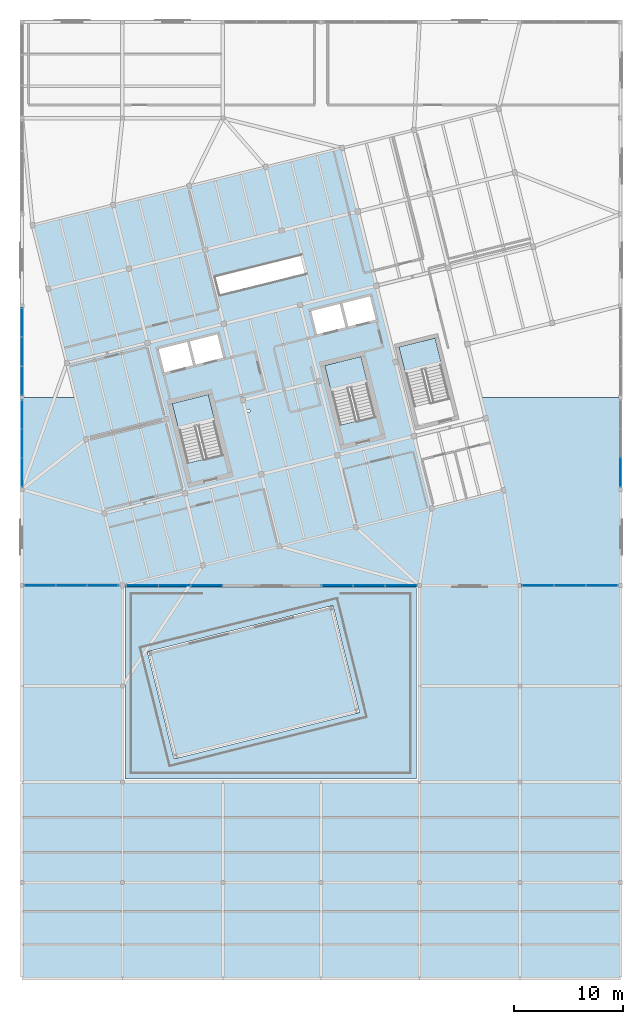
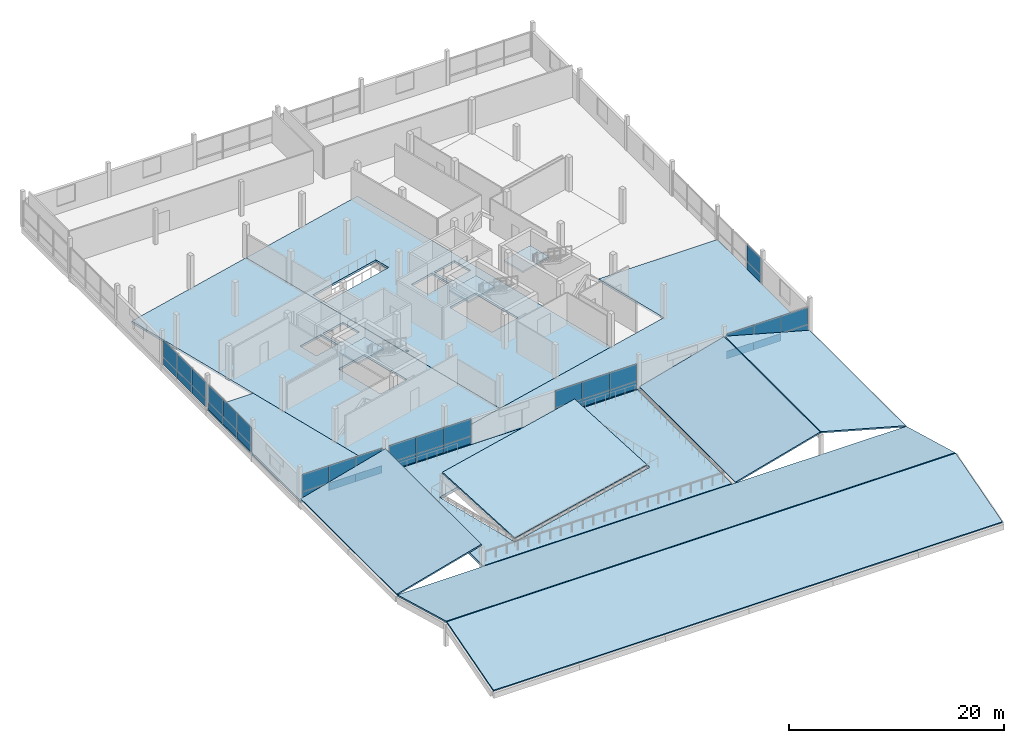
# One storey, part 32 of 39: 38 plates, 13 slabs, 16 elements without a shape of their own.
"""IFC4 building model written with IfcOpenShell, lengths in metres."""

from ifc_helpers import new_model, si_unit, direction, frame, origin, origin_2d, place, context, subcontext, project, spatial, polyline, rectangle, outline, extrude, material, layer, layer_set, type_object, element, aggregate, save


model = new_model("IFC4")

# Units and contexts
model_context = context("Model", 3, precision=1e-05, world=origin(), true_north=direction((0.0, 1.0)))
body_context = subcontext(model_context, "Body", "Model", "MODEL_VIEW")
ifc_project = project(units=[si_unit("LENGTHUNIT", "METRE"), si_unit("AREAUNIT", "SQUARE_METRE"), si_unit("VOLUMEUNIT", "CUBIC_METRE"), si_unit("PLANEANGLEUNIT", "RADIAN"), si_unit("MASSUNIT", "GRAM", prefix="KILO")], contexts=[model_context])

# Site, building, storey
site_placement = place(None, origin())
site = spatial("IfcSite", under=ifc_project, at=site_placement, CompositionType="ELEMENT")
building_placement = place(site_placement, origin())
building = spatial("IfcBuilding", under=site, at=building_placement, Name="Meriwether Solvik Hall", CompositionType="ELEMENT")
storey_placement = place(building_placement, frame((0.0, 0.0, 22.199951171875)))
storey = spatial("IfcBuildingStorey", under=building, at=storey_placement, Name="L05", CompositionType="ELEMENT", Elevation=22.199951171875)

# Curtain wall, plates
ifc_material_1 = material(Name="Thermally Broken Anodised Aluminium 6063-T6 and Low-E Glass", Category="aluminium")
ifc_layer_1 = layer(ifc_material_1, 0.179931640625)
ifc_layer_set_1 = layer_set([ifc_layer_1], Name="Thermally Broken Anodised Aluminium 6063-T6 and Low-E Glass")
curtain_wall_type = type_object("IfcCurtainWallType", Name="CW-UNIT-E", PredefinedType="USERDEFINED", material=ifc_layer_set_1)
curtain_wall_1_placement = place(storey_placement, origin())
curtain_wall_1 = element("IfcCurtainWall", 1, at=curtain_wall_1_placement, inside=storey, type_object=curtain_wall_type, Name="Curtain Wall wing_XE_7_0 (L05)", ObjectType="UNITISED CURTAIN WALL", PredefinedType="USERDEFINED")
ifc_material_2 = material(Name="Low-Emissivity Double-Glazed Laminated Glass", Category="glass")
ifc_layer_2 = layer(ifc_material_2, 0.031982421875)
ifc_layer_set_2 = layer_set([ifc_layer_2], Name="Low-Emissivity Double-Glazed Laminated Glass")
plate_type_1 = type_object("IfcPlateType", Name="PLT-GLZ-225X195", PredefinedType="CURTAIN_PANEL", material=ifc_layer_set_2)
plate_1_placement = place(storey_placement, frame((66.796630859375, 41.199951171875, 0.864013671875), z_axis=(0.0, 0.0, 1.0), x_axis=(-1.0, 0.0, 0.0)))
plate_1 = element("IfcPlate", 2, at=plate_1_placement, type_object=plate_type_1, Name="Low-E Vision Glazing Panel 1", PredefinedType="CURTAIN_PANEL", context=body_context, shape_type="SweptSolid", body=[
    extrude(rectangle(XDim=2.842529296875, YDim=0.033935546875, at=origin_2d()), origin(), (0.0, 0.0, 1.0), 1.9560546875),
])
plate_2_placement = place(storey_placement, frame((63.92724609375, 41.199951171875, 0.864013671875), z_axis=(0.0, 0.0, 1.0), x_axis=(-1.0, 0.0, 0.0)))
plate_2 = element("IfcPlate", 3, at=plate_2_placement, type_object=plate_type_1, Name="Low-E Vision Glazing Panel 2", PredefinedType="CURTAIN_PANEL", context=body_context, shape_type="SweptSolid", body=[
    extrude(rectangle(XDim=2.880615234375, YDim=0.033935546875, at=origin_2d()), origin(), (0.0, 0.0, 1.0), 1.9560546875),
])
plate_3_placement = place(storey_placement, frame((61.057861328125, 41.199951171875, 0.864013671875), z_axis=(0.0, 0.0, 1.0), x_axis=(-1.0, 0.0, 0.0)))
plate_3 = element("IfcPlate", 4, at=plate_3_placement, type_object=plate_type_1, Name="Low-E Vision Glazing Panel 3", PredefinedType="CURTAIN_PANEL", context=body_context, shape_type="SweptSolid", body=[
    extrude(rectangle(XDim=2.842529296875, YDim=0.033935546875, at=origin_2d()), origin(), (0.0, 0.0, 1.0), 1.9560546875),
])

curtain_wall_2_placement = place(storey_placement, origin())
curtain_wall_2 = element("IfcCurtainWall", 5, at=curtain_wall_2_placement, inside=storey, type_object=curtain_wall_type, Name="Curtain Wall wing_XE_8_1 (L05)", ObjectType="UNITISED CURTAIN WALL", PredefinedType="USERDEFINED")
plate_4_placement = place(storey_placement, frame((76.304443359375, 41.199951171875, 0.864013671875), z_axis=(0.0, 0.0, 1.0), x_axis=(-1.0, 0.0, 0.0)))
plate_4 = element("IfcPlate", 6, at=plate_4_placement, type_object=plate_type_1, Name="Low-E Vision Glazing Panel 1", PredefinedType="CURTAIN_PANEL", context=body_context, shape_type="SweptSolid", body=[
    extrude(rectangle(XDim=2.9072265625, YDim=0.033935546875, at=origin_2d()), origin(), (0.0, 0.0, 1.0), 1.9560546875),
])
plate_5_placement = place(storey_placement, frame((73.3701171875, 41.199951171875, 0.864013671875), z_axis=(0.0, 0.0, 1.0), x_axis=(-1.0, 0.0, 0.0)))
plate_5 = element("IfcPlate", 7, at=plate_5_placement, type_object=plate_type_1, Name="Low-E Vision Glazing Panel 2", PredefinedType="CURTAIN_PANEL", context=body_context, shape_type="SweptSolid", body=[
    extrude(rectangle(XDim=2.9453125, YDim=0.033935546875, at=origin_2d()), origin(), (0.0, 0.0, 1.0), 1.9560546875),
])
plate_6_placement = place(storey_placement, frame((70.435791015625, 41.199951171875, 0.864013671875), z_axis=(0.0, 0.0, 1.0), x_axis=(-1.0, 0.0, 0.0)))
plate_6 = element("IfcPlate", 8, at=plate_6_placement, type_object=plate_type_1, Name="Low-E Vision Glazing Panel 3", PredefinedType="CURTAIN_PANEL", context=body_context, shape_type="SweptSolid", body=[
    extrude(rectangle(XDim=2.9072265625, YDim=0.033935546875, at=origin_2d()), origin(), (0.0, 0.0, 1.0), 1.9560546875),
])

curtain_wall_3_placement = place(storey_placement, origin())
curtain_wall_3 = element("IfcCurtainWall", 9, at=curtain_wall_3_placement, inside=storey, type_object=curtain_wall_type, Name="Curtain Wall wing_XE_10_3 (L05)", ObjectType="UNITISED CURTAIN WALL", PredefinedType="USERDEFINED")
plate_7_placement = place(storey_placement, frame((94.118896484375, 41.199951171875, 0.864013671875), z_axis=(0.0, 0.0, 1.0), x_axis=(-1.0, 0.0, 0.0)))
plate_7 = element("IfcPlate", 10, at=plate_7_placement, type_object=plate_type_1, Name="Low-E Vision Glazing Panel 1", PredefinedType="CURTAIN_PANEL", context=body_context, shape_type="SweptSolid", body=[
    extrude(rectangle(XDim=2.88916015625, YDim=0.033935546875, at=origin_2d()), origin(), (0.0, 0.0, 1.0), 1.9560546875),
])
plate_8_placement = place(storey_placement, frame((91.20263671875, 41.199951171875, 0.864013671875), z_axis=(0.0, 0.0, 1.0), x_axis=(-1.0, 0.0, 0.0)))
plate_8 = element("IfcPlate", 11, at=plate_8_placement, type_object=plate_type_1, Name="Low-E Vision Glazing Panel 2", PredefinedType="CURTAIN_PANEL", context=body_context, shape_type="SweptSolid", body=[
    extrude(rectangle(XDim=2.92724609375, YDim=0.033935546875, at=origin_2d()), origin(), (0.0, 0.0, 1.0), 1.9560546875),
])
plate_9_placement = place(storey_placement, frame((88.28662109375, 41.199951171875, 0.864013671875), z_axis=(0.0, 0.0, 1.0), x_axis=(-1.0, 0.0, 0.0)))
plate_9 = element("IfcPlate", 12, at=plate_9_placement, type_object=plate_type_1, Name="Low-E Vision Glazing Panel 3", PredefinedType="CURTAIN_PANEL", context=body_context, shape_type="SweptSolid", body=[
    extrude(rectangle(XDim=2.88916015625, YDim=0.033935546875, at=origin_2d()), origin(), (0.0, 0.0, 1.0), 1.9560546875),
])

curtain_wall_4_placement = place(storey_placement, origin())
curtain_wall_4 = element("IfcCurtainWall", 13, at=curtain_wall_4_placement, inside=storey, type_object=curtain_wall_type, Name="Curtain Wall wing_XE_12_5 (L05)", ObjectType="UNITISED CURTAIN WALL", PredefinedType="USERDEFINED")
plate_10_placement = place(storey_placement, frame((112.51806640625, 41.199951171875, 0.864013671875), z_axis=(0.0, 0.0, 1.0), x_axis=(-1.0, 0.0, 0.0)))
plate_10 = element("IfcPlate", 14, at=plate_10_placement, type_object=plate_type_1, Name="Low-E Vision Glazing Panel 1", PredefinedType="CURTAIN_PANEL", context=body_context, shape_type="SweptSolid", body=[
    extrude(rectangle(XDim=2.89111328125, YDim=0.033935546875, at=origin_2d()), origin(), (0.0, 0.0, 1.0), 1.9560546875),
])
plate_11_placement = place(storey_placement, frame((109.60009765625, 41.199951171875, 0.864013671875), z_axis=(0.0, 0.0, 1.0), x_axis=(-1.0, 0.0, 0.0)))
plate_11 = element("IfcPlate", 15, at=plate_11_placement, type_object=plate_type_1, Name="Low-E Vision Glazing Panel 2", PredefinedType="CURTAIN_PANEL", context=body_context, shape_type="SweptSolid", body=[
    extrude(rectangle(XDim=2.928955078125, YDim=0.033935546875, at=origin_2d()), origin(), (0.0, 0.0, 1.0), 1.9560546875),
])
plate_12_placement = place(storey_placement, frame((106.681884765625, 41.199951171875, 0.864013671875), z_axis=(0.0, 0.0, 1.0), x_axis=(-1.0, 0.0, 0.0)))
plate_12 = element("IfcPlate", 16, at=plate_12_placement, type_object=plate_type_1, Name="Low-E Vision Glazing Panel 3", PredefinedType="CURTAIN_PANEL", context=body_context, shape_type="SweptSolid", body=[
    extrude(rectangle(XDim=2.89111328125, YDim=0.033935546875, at=origin_2d()), origin(), (0.0, 0.0, 1.0), 1.9560546875),
])

curtain_wall_5_placement = place(storey_placement, origin())
curtain_wall_5 = element("IfcCurtainWall", 17, at=curtain_wall_5_placement, inside=storey, type_object=curtain_wall_type, Name="Curtain Wall wing_Y7_6_13 (L05)", ObjectType="UNITISED CURTAIN WALL", PredefinedType="USERDEFINED")
plate_13_placement = place(storey_placement, frame((59.39990234375, 51.548583984375, 0.864013671875), z_axis=(0.0, 0.0, 1.0), x_axis=(0.0, 1.0, 0.0)))
plate_13 = element("IfcPlate", 18, at=plate_13_placement, type_object=plate_type_1, Name="Low-E Vision Glazing Panel 1", PredefinedType="CURTAIN_PANEL", context=body_context, shape_type="SweptSolid", body=[
    extrude(rectangle(XDim=2.624267578125, YDim=0.033935546875, at=origin_2d()), origin(), (0.0, 0.0, 1.0), 1.9560546875),
])
plate_14_placement = place(storey_placement, frame((59.39990234375, 54.199951171875, 0.864013671875), z_axis=(0.0, 0.0, 1.0), x_axis=(0.0, 1.0, 0.0)))
plate_14 = element("IfcPlate", 19, at=plate_14_placement, type_object=plate_type_1, Name="Low-E Vision Glazing Panel 2", PredefinedType="CURTAIN_PANEL", context=body_context, shape_type="SweptSolid", body=[
    extrude(rectangle(XDim=2.662353515625, YDim=0.033935546875, at=origin_2d()), origin(), (0.0, 0.0, 1.0), 1.9560546875),
])
plate_15_placement = place(storey_placement, frame((59.39990234375, 56.851318359375, 0.864013671875), z_axis=(0.0, 0.0, 1.0), x_axis=(0.0, 1.0, 0.0)))
plate_15 = element("IfcPlate", 20, at=plate_15_placement, type_object=plate_type_1, Name="Low-E Vision Glazing Panel 3", PredefinedType="CURTAIN_PANEL", context=body_context, shape_type="SweptSolid", body=[
    extrude(rectangle(XDim=2.624267578125, YDim=0.033935546875, at=origin_2d()), origin(), (0.0, 0.0, 1.0), 1.9560546875),
])

curtain_wall_6_placement = place(storey_placement, origin())
curtain_wall_6 = element("IfcCurtainWall", 21, at=curtain_wall_6_placement, inside=storey, type_object=curtain_wall_type, Name="Curtain Wall wing_Y7_7_14 (L05)", ObjectType="UNITISED CURTAIN WALL", PredefinedType="USERDEFINED")
plate_16_placement = place(storey_placement, frame((59.39990234375, 59.94873046875, 0.864013671875), z_axis=(0.0, 0.0, 1.0), x_axis=(0.0, 1.0, 0.0)))
plate_16 = element("IfcPlate", 22, at=plate_16_placement, type_object=plate_type_1, Name="Low-E Vision Glazing Panel 1", PredefinedType="CURTAIN_PANEL", context=body_context, shape_type="SweptSolid", body=[
    extrude(rectangle(XDim=2.624267578125, YDim=0.033935546875, at=origin_2d()), origin(), (0.0, 0.0, 1.0), 1.9560546875),
])
plate_17_placement = place(storey_placement, frame((59.39990234375, 62.60009765625, 0.864013671875), z_axis=(0.0, 0.0, 1.0), x_axis=(0.0, 1.0, 0.0)))
plate_17 = element("IfcPlate", 23, at=plate_17_placement, type_object=plate_type_1, Name="Low-E Vision Glazing Panel 2", PredefinedType="CURTAIN_PANEL", context=body_context, shape_type="SweptSolid", body=[
    extrude(rectangle(XDim=2.662353515625, YDim=0.033935546875, at=origin_2d()), origin(), (0.0, 0.0, 1.0), 1.9560546875),
])
plate_18_placement = place(storey_placement, frame((59.39990234375, 65.251220703125, 0.864013671875), z_axis=(0.0, 0.0, 1.0), x_axis=(0.0, 1.0, 0.0)))
plate_18 = element("IfcPlate", 24, at=plate_18_placement, type_object=plate_type_1, Name="Low-E Vision Glazing Panel 3", PredefinedType="CURTAIN_PANEL", context=body_context, shape_type="SweptSolid", body=[
    extrude(rectangle(XDim=2.624267578125, YDim=0.033935546875, at=origin_2d()), origin(), (0.0, 0.0, 1.0), 1.9560546875),
])

# Curtain wall, plate
curtain_wall_7_placement = place(storey_placement, origin())
curtain_wall_7 = element("IfcCurtainWall", 25, at=curtain_wall_7_placement, inside=storey, type_object=curtain_wall_type, Name="Curtain Wall wing_Y13_6_19 (L05)", ObjectType="UNITISED CURTAIN WALL", PredefinedType="USERDEFINED")
plate_19_placement = place(storey_placement, frame((114.199951171875, 51.548583984375, 0.864013671875), z_axis=(0.0, 0.0, 1.0), x_axis=(0.0, -1.0, 0.0)))
plate_19 = element("IfcPlate", 26, at=plate_19_placement, type_object=plate_type_1, Name="Low-E Vision Glazing Panel 3", PredefinedType="CURTAIN_PANEL", context=body_context, shape_type="SweptSolid", body=[
    extrude(rectangle(XDim=2.624267578125, YDim=0.033935546875, at=origin_2d()), origin(), (0.0, 0.0, 1.0), 1.9560546875),
])

# Plate
ifc_material_3 = material(Name="Mineral-Wool Insulated Anodised Aluminium 6063-T6", Category="aluminium")
ifc_layer_3 = layer(ifc_material_3, 0.044921875)
ifc_layer_set_3 = layer_set([ifc_layer_3], Name="Mineral-Wool Insulated Anodised Aluminium 6063-T6")
plate_type_2 = type_object("IfcPlateType", Name="PLT-SPN-225X085", PredefinedType="CURTAIN_PANEL", material=ifc_layer_set_3)
plate_20_placement = place(storey_placement, frame((66.796630859375, 41.199951171875, 0.0), z_axis=(0.0, 0.0, 1.0), x_axis=(-1.0, 0.0, 0.0)))
plate_20 = element("IfcPlate", 27, at=plate_20_placement, type_object=plate_type_2, Name="Insulated Spandrel Panel 1", PredefinedType="CURTAIN_PANEL", context=body_context, shape_type="SweptSolid", body=[
    extrude(rectangle(XDim=2.842529296875, YDim=0.044921875, at=origin_2d()), origin(), (0.0, 0.0, 1.0), 0.864013671875),
])

plate_21_placement = place(storey_placement, frame((63.92724609375, 41.199951171875, 0.0), z_axis=(0.0, 0.0, 1.0), x_axis=(-1.0, 0.0, 0.0)))
plate_21 = element("IfcPlate", 28, at=plate_21_placement, type_object=plate_type_2, Name="Insulated Spandrel Panel 2", PredefinedType="CURTAIN_PANEL", context=body_context, shape_type="SweptSolid", body=[
    extrude(rectangle(XDim=2.880615234375, YDim=0.044921875, at=origin_2d()), origin(), (0.0, 0.0, 1.0), 0.864013671875),
])

plate_22_placement = place(storey_placement, frame((61.057861328125, 41.199951171875, 0.0), z_axis=(0.0, 0.0, 1.0), x_axis=(-1.0, 0.0, 0.0)))
plate_22 = element("IfcPlate", 29, at=plate_22_placement, type_object=plate_type_2, Name="Insulated Spandrel Panel 3", PredefinedType="CURTAIN_PANEL", context=body_context, shape_type="SweptSolid", body=[
    extrude(rectangle(XDim=2.842529296875, YDim=0.044921875, at=origin_2d()), origin(), (0.0, 0.0, 1.0), 0.864013671875),
])

aggregate(curtain_wall_1, [plate_20, plate_1, plate_21, plate_2, plate_22, plate_3])

plate_23_placement = place(storey_placement, frame((76.304443359375, 41.199951171875, 0.0), z_axis=(0.0, 0.0, 1.0), x_axis=(-1.0, 0.0, 0.0)))
plate_23 = element("IfcPlate", 30, at=plate_23_placement, type_object=plate_type_2, Name="Insulated Spandrel Panel 1", PredefinedType="CURTAIN_PANEL", context=body_context, shape_type="SweptSolid", body=[
    extrude(rectangle(XDim=2.9072265625, YDim=0.044921875, at=origin_2d()), origin(), (0.0, 0.0, 1.0), 0.864013671875),
])

plate_24_placement = place(storey_placement, frame((73.3701171875, 41.199951171875, 0.0), z_axis=(0.0, 0.0, 1.0), x_axis=(-1.0, 0.0, 0.0)))
plate_24 = element("IfcPlate", 31, at=plate_24_placement, type_object=plate_type_2, Name="Insulated Spandrel Panel 2", PredefinedType="CURTAIN_PANEL", context=body_context, shape_type="SweptSolid", body=[
    extrude(rectangle(XDim=2.9453125, YDim=0.044921875, at=origin_2d()), origin(), (0.0, 0.0, 1.0), 0.864013671875),
])

plate_25_placement = place(storey_placement, frame((70.435791015625, 41.199951171875, 0.0), z_axis=(0.0, 0.0, 1.0), x_axis=(-1.0, 0.0, 0.0)))
plate_25 = element("IfcPlate", 32, at=plate_25_placement, type_object=plate_type_2, Name="Insulated Spandrel Panel 3", PredefinedType="CURTAIN_PANEL", context=body_context, shape_type="SweptSolid", body=[
    extrude(rectangle(XDim=2.9072265625, YDim=0.044921875, at=origin_2d()), origin(), (0.0, 0.0, 1.0), 0.864013671875),
])

aggregate(curtain_wall_2, [plate_23, plate_4, plate_24, plate_5, plate_25, plate_6])

plate_26_placement = place(storey_placement, frame((94.118896484375, 41.199951171875, 0.0), z_axis=(0.0, 0.0, 1.0), x_axis=(-1.0, 0.0, 0.0)))
plate_26 = element("IfcPlate", 33, at=plate_26_placement, type_object=plate_type_2, Name="Insulated Spandrel Panel 1", PredefinedType="CURTAIN_PANEL", context=body_context, shape_type="SweptSolid", body=[
    extrude(rectangle(XDim=2.88916015625, YDim=0.044921875, at=origin_2d()), origin(), (0.0, 0.0, 1.0), 0.864013671875),
])

plate_27_placement = place(storey_placement, frame((91.20263671875, 41.199951171875, 0.0), z_axis=(0.0, 0.0, 1.0), x_axis=(-1.0, 0.0, 0.0)))
plate_27 = element("IfcPlate", 34, at=plate_27_placement, type_object=plate_type_2, Name="Insulated Spandrel Panel 2", PredefinedType="CURTAIN_PANEL", context=body_context, shape_type="SweptSolid", body=[
    extrude(rectangle(XDim=2.92724609375, YDim=0.044921875, at=origin_2d()), origin(), (0.0, 0.0, 1.0), 0.864013671875),
])

plate_28_placement = place(storey_placement, frame((88.28662109375, 41.199951171875, 0.0), z_axis=(0.0, 0.0, 1.0), x_axis=(-1.0, 0.0, 0.0)))
plate_28 = element("IfcPlate", 35, at=plate_28_placement, type_object=plate_type_2, Name="Insulated Spandrel Panel 3", PredefinedType="CURTAIN_PANEL", context=body_context, shape_type="SweptSolid", body=[
    extrude(rectangle(XDim=2.88916015625, YDim=0.044921875, at=origin_2d()), origin(), (0.0, 0.0, 1.0), 0.864013671875),
])

aggregate(curtain_wall_3, [plate_26, plate_7, plate_27, plate_8, plate_28, plate_9])

plate_29_placement = place(storey_placement, frame((112.51806640625, 41.199951171875, 0.0), z_axis=(0.0, 0.0, 1.0), x_axis=(-1.0, 0.0, 0.0)))
plate_29 = element("IfcPlate", 36, at=plate_29_placement, type_object=plate_type_2, Name="Insulated Spandrel Panel 1", PredefinedType="CURTAIN_PANEL", context=body_context, shape_type="SweptSolid", body=[
    extrude(rectangle(XDim=2.89111328125, YDim=0.044921875, at=origin_2d()), origin(), (0.0, 0.0, 1.0), 0.864013671875),
])

plate_30_placement = place(storey_placement, frame((109.60009765625, 41.199951171875, 0.0), z_axis=(0.0, 0.0, 1.0), x_axis=(-1.0, 0.0, 0.0)))
plate_30 = element("IfcPlate", 37, at=plate_30_placement, type_object=plate_type_2, Name="Insulated Spandrel Panel 2", PredefinedType="CURTAIN_PANEL", context=body_context, shape_type="SweptSolid", body=[
    extrude(rectangle(XDim=2.928955078125, YDim=0.044921875, at=origin_2d()), origin(), (0.0, 0.0, 1.0), 0.864013671875),
])

plate_31_placement = place(storey_placement, frame((106.681884765625, 41.199951171875, 0.0), z_axis=(0.0, 0.0, 1.0), x_axis=(-1.0, 0.0, 0.0)))
plate_31 = element("IfcPlate", 38, at=plate_31_placement, type_object=plate_type_2, Name="Insulated Spandrel Panel 3", PredefinedType="CURTAIN_PANEL", context=body_context, shape_type="SweptSolid", body=[
    extrude(rectangle(XDim=2.89111328125, YDim=0.044921875, at=origin_2d()), origin(), (0.0, 0.0, 1.0), 0.864013671875),
])

aggregate(curtain_wall_4, [plate_29, plate_10, plate_30, plate_11, plate_31, plate_12])

plate_32_placement = place(storey_placement, frame((59.39990234375, 51.548583984375, 0.0), z_axis=(0.0, 0.0, 1.0), x_axis=(0.0, 1.0, 0.0)))
plate_32 = element("IfcPlate", 39, at=plate_32_placement, type_object=plate_type_2, Name="Insulated Spandrel Panel 1", PredefinedType="CURTAIN_PANEL", context=body_context, shape_type="SweptSolid", body=[
    extrude(rectangle(XDim=2.624267578125, YDim=0.044921875, at=origin_2d()), origin(), (0.0, 0.0, 1.0), 0.864013671875),
])

plate_33_placement = place(storey_placement, frame((59.39990234375, 54.199951171875, 0.0), z_axis=(0.0, 0.0, 1.0), x_axis=(0.0, 1.0, 0.0)))
plate_33 = element("IfcPlate", 40, at=plate_33_placement, type_object=plate_type_2, Name="Insulated Spandrel Panel 2", PredefinedType="CURTAIN_PANEL", context=body_context, shape_type="SweptSolid", body=[
    extrude(rectangle(XDim=2.662353515625, YDim=0.044921875, at=origin_2d()), origin(), (0.0, 0.0, 1.0), 0.864013671875),
])

plate_34_placement = place(storey_placement, frame((59.39990234375, 56.851318359375, 0.0), z_axis=(0.0, 0.0, 1.0), x_axis=(0.0, 1.0, 0.0)))
plate_34 = element("IfcPlate", 41, at=plate_34_placement, type_object=plate_type_2, Name="Insulated Spandrel Panel 3", PredefinedType="CURTAIN_PANEL", context=body_context, shape_type="SweptSolid", body=[
    extrude(rectangle(XDim=2.624267578125, YDim=0.044921875, at=origin_2d()), origin(), (0.0, 0.0, 1.0), 0.864013671875),
])

aggregate(curtain_wall_5, [plate_32, plate_13, plate_33, plate_14, plate_34, plate_15])

plate_35_placement = place(storey_placement, frame((59.39990234375, 59.94873046875, 0.0), z_axis=(0.0, 0.0, 1.0), x_axis=(0.0, 1.0, 0.0)))
plate_35 = element("IfcPlate", 42, at=plate_35_placement, type_object=plate_type_2, Name="Insulated Spandrel Panel 1", PredefinedType="CURTAIN_PANEL", context=body_context, shape_type="SweptSolid", body=[
    extrude(rectangle(XDim=2.624267578125, YDim=0.044921875, at=origin_2d()), origin(), (0.0, 0.0, 1.0), 0.864013671875),
])

plate_36_placement = place(storey_placement, frame((59.39990234375, 62.60009765625, 0.0), z_axis=(0.0, 0.0, 1.0), x_axis=(0.0, 1.0, 0.0)))
plate_36 = element("IfcPlate", 43, at=plate_36_placement, type_object=plate_type_2, Name="Insulated Spandrel Panel 2", PredefinedType="CURTAIN_PANEL", context=body_context, shape_type="SweptSolid", body=[
    extrude(rectangle(XDim=2.662353515625, YDim=0.044921875, at=origin_2d()), origin(), (0.0, 0.0, 1.0), 0.864013671875),
])

plate_37_placement = place(storey_placement, frame((59.39990234375, 65.251220703125, 0.0), z_axis=(0.0, 0.0, 1.0), x_axis=(0.0, 1.0, 0.0)))
plate_37 = element("IfcPlate", 44, at=plate_37_placement, type_object=plate_type_2, Name="Insulated Spandrel Panel 3", PredefinedType="CURTAIN_PANEL", context=body_context, shape_type="SweptSolid", body=[
    extrude(rectangle(XDim=2.624267578125, YDim=0.044921875, at=origin_2d()), origin(), (0.0, 0.0, 1.0), 0.864013671875),
])

aggregate(curtain_wall_6, [plate_35, plate_16, plate_36, plate_17, plate_37, plate_18])

plate_38_placement = place(storey_placement, frame((114.199951171875, 51.548583984375, 0.0), z_axis=(0.0, 0.0, 1.0), x_axis=(0.0, -1.0, 0.0)))
plate_38 = element("IfcPlate", 45, at=plate_38_placement, type_object=plate_type_2, Name="Insulated Spandrel Panel 3", PredefinedType="CURTAIN_PANEL", context=body_context, shape_type="SweptSolid", body=[
    extrude(rectangle(XDim=2.624267578125, YDim=0.044921875, at=origin_2d()), origin(), (0.0, 0.0, 1.0), 0.864013671875),
])

aggregate(curtain_wall_7, [plate_38, plate_19])

# Slabs
ifc_material_4 = material(Name="Cross-Laminated Timber PRG 320 E1", Category="wood")
ifc_layer_4 = layer(ifc_material_4, 0.2451171875)
ifc_layer_set_4 = layer_set([ifc_layer_4], Name="Cross-Laminated Timber PRG 320 E1")
slab_type_1 = type_object("IfcSlabType", Name="SLB-CLT-245", PredefinedType="FLOOR", material=ifc_layer_set_4)
slab_1_placement = place(storey_placement, frame((0.0, 0.0, -0.244873046875)))
element("IfcSlab", 46, at=slab_1_placement, inside=storey, type_object=slab_type_1, Name="L05 Structural Slab Zone 3", PredefinedType="FLOOR", context=body_context, shape_type="SweptSolid", body=[
    extrude(outline(polyline([(114.197021484375, 41.0400390625), (59.403076171875, 41.0400390625), (59.403076171875, 58.39697265625), (64.311279296875, 58.39697265625), (68.599365234375, 41.19873046875), (103.53173828125, 49.908447265625), (101.41552734375, 58.39697265625), (114.197021484375, 58.39697265625), (114.197021484375, 41.0400390625)])), origin(), (0.0, 0.0, 1.0), 0.244873046875),
])
slab_2_placement = place(storey_placement, frame((0.0, 0.0, -0.244873046875)))
element("IfcSlab", 47, at=slab_2_placement, inside=storey, type_object=slab_type_1, Name="L05 Mass-Timber CLT Floor W", PredefinedType="FLOOR", context=body_context, shape_type="SweptSolid", body=[
    extrude(outline(polyline([(74.732177734375, 77.769775390625), (82.95751953125, 44.77978515625), (68.60009765625, 41.199951171875), (60.374755859375, 74.18994140625), (74.732177734375, 77.769775390625)]), holes=[polyline([(73.157958984375, 57.84716796875), (74.5205078125, 52.382568359375), (77.819580078125, 53.205078125), (76.45703125, 58.669677734375), (73.157958984375, 57.84716796875)]), polyline([(71.912109375, 62.84423828125), (72.4443359375, 60.70947265625), (75.064208984375, 61.36279296875), (74.531982421875, 63.497314453125), (71.912109375, 62.84423828125)]), polyline([(74.774658203125, 63.557861328125), (75.306884765625, 61.42333984375), (77.82958984375, 62.05224609375), (77.29736328125, 64.186767578125), (74.774658203125, 63.557861328125)])]), origin(), (0.0, 0.0, 1.0), 0.244873046875),
])
slab_3_placement = place(storey_placement, frame((0.0, 0.0, -0.244873046875)))
element("IfcSlab", 48, at=slab_3_placement, inside=storey, type_object=slab_type_1, Name="L05 Mass-Timber CLT Floor C", PredefinedType="FLOOR", context=body_context, shape_type="SweptSolid", body=[
    extrude(outline(polyline([(88.704345703125, 81.25341796875), (96.9296875, 48.263427734375), (82.96337890625, 44.78125), (74.738037109375, 77.771240234375), (88.704345703125, 81.25341796875)]), holes=[polyline([(79.997314453125, 57.284912109375), (80.0576171875, 57.04248046875), (80.30029296875, 57.10302734375), (80.23974609375, 57.345458984375), (79.997314453125, 57.284912109375)]), polyline([(90.429443359375, 62.1533203125), (87.13037109375, 61.330810546875), (88.492919921875, 55.8662109375), (91.791748046875, 56.688720703125), (90.429443359375, 62.1533203125)]), polyline([(85.884521484375, 66.327880859375), (86.416748046875, 64.193359375), (89.036376953125, 64.846435546875), (88.504150390625, 66.981201171875), (85.884521484375, 66.327880859375)]), polyline([(91.26953125, 67.670654296875), (88.746826171875, 67.04150390625), (89.279052734375, 64.906982421875), (91.8017578125, 65.535888671875), (91.26953125, 67.670654296875)]), polyline([(85.017578125, 71.424560546875), (77.117431640625, 69.454833984375), (77.53125, 67.795654296875), (85.431396484375, 69.765380859375), (85.017578125, 71.424560546875)])]), origin(), (0.0, 0.0, 1.0), 0.244873046875),
])

# Stair, slab
ifc_material_5 = material(Name="Concrete C40/50", Category="concrete")
stair_type = type_object("IfcStairType", Name="STR-CORE-DOGLEG-A", PredefinedType="TWO_STRAIGHT_RUN_STAIR", material=ifc_material_5)
stair_1_placement = place(storey_placement, origin())
stair_1 = element("IfcStair", 49, at=stair_1_placement, inside=storey, type_object=stair_type, Name="Exit Stair ST-01 (L05)", PredefinedType="TWO_STRAIGHT_RUN_STAIR")
ifc_material_6 = material(Name="Concrete C40/50", Category="concrete")
ifc_layer_5 = layer(ifc_material_6, 0.199951171875)
ifc_layer_set_5 = layer_set([ifc_layer_5], Name="Concrete C40/50")
slab_type_2 = type_object("IfcSlabType", Name="SLB-LND-200", PredefinedType="LANDING", material=ifc_layer_set_5)
slab_4_placement = place(storey_placement, frame((0.0, 0.0, 1.75)))
slab_4 = element("IfcSlab", 50, at=slab_4_placement, type_object=slab_type_2, Name="Stair ST-01 Half Landing (L05)", PredefinedType="LANDING", context=body_context, shape_type="SweptSolid", body=[
    extrude(outline(polyline([(73.76611328125, 55.38818359375), (77.07470703125, 56.213134765625), (76.460693359375, 58.67578125), (73.152099609375, 57.850830078125), (73.76611328125, 55.38818359375)])), origin(), (0.0, 0.0, 1.0), 0.199951171875),
])
aggregate(stair_1, [slab_4])

stair_2_placement = place(storey_placement, origin())
stair_2 = element("IfcStair", 51, at=stair_2_placement, inside=storey, type_object=stair_type, Name="Exit Stair ST-02 (L05)", PredefinedType="TWO_STRAIGHT_RUN_STAIR")
slab_5_placement = place(storey_placement, frame((0.0, 0.0, 1.75)))
slab_5 = element("IfcSlab", 52, at=slab_5_placement, type_object=slab_type_2, Name="Stair ST-02 Half Landing (L05)", PredefinedType="LANDING", context=body_context, shape_type="SweptSolid", body=[
    extrude(outline(polyline([(87.73828125, 58.871826171875), (91.046875, 59.69677734375), (90.432861328125, 62.159423828125), (87.124267578125, 61.33447265625), (87.73828125, 58.871826171875)])), origin(), (0.0, 0.0, 1.0), 0.199951171875),
])
aggregate(stair_2, [slab_5])

stair_3_placement = place(storey_placement, origin())
stair_3 = element("IfcStair", 53, at=stair_3_placement, inside=storey, type_object=stair_type, Name="Exit Stair ST-03 (L05)", PredefinedType="TWO_STRAIGHT_RUN_STAIR")
slab_6_placement = place(storey_placement, frame((0.0, 0.0, 1.75)))
slab_6 = element("IfcSlab", 54, at=slab_6_placement, type_object=slab_type_2, Name="Stair ST-03 Half Landing (L05)", PredefinedType="LANDING", context=body_context, shape_type="SweptSolid", body=[
    extrude(outline(polyline([(94.5302734375, 60.5654296875), (97.839111328125, 61.390380859375), (97.22509765625, 63.85302734375), (93.916259765625, 63.028076171875), (94.5302734375, 60.5654296875)])), origin(), (0.0, 0.0, 1.0), 0.199951171875),
])
aggregate(stair_3, [slab_6])

# Slab
ifc_material_7 = material(Name="Concrete C40/50", Category="concrete")
ifc_layer_6 = layer(ifc_material_7, 0.300048828125)
ifc_layer_set_6 = layer_set([ifc_layer_6], Name="Concrete C40/50")
slab_type_3 = type_object("IfcSlabType", Name="SLB-RC-300", PredefinedType="FLOOR", material=ifc_layer_set_6)
slab_7_placement = place(storey_placement, frame((0.0, 0.0, -0.300048828125)))
element("IfcSlab", 55, at=slab_7_placement, inside=storey, type_object=slab_type_3, Name="L05 Landscaped Civic Forum Terrace", PredefinedType="FLOOR", context=body_context, shape_type="SweptSolid", body=[
    extrude(outline(polyline([(68.85009765625, 41.02001953125), (95.550048828125, 41.02001953125), (95.550048828125, 23.449951171875), (68.85009765625, 23.449951171875), (68.85009765625, 41.02001953125)]), holes=[polyline([(90.311767578125, 29.556640625), (87.868408203125, 39.356689453125), (70.88818359375, 35.123046875), (73.33154296875, 25.322998046875), (90.311767578125, 29.556640625)])]), origin(), (0.0, 0.0, 1.0), 0.300048828125),
])

# Roof, slab
ifc_material_8 = material(Name="Cross-Laminated Timber PRG 320 E1", Category="wood")
ifc_layer_7 = layer(ifc_material_8, 0.2451171875)
ifc_layer_set_7 = layer_set([ifc_layer_7], Name="Cross-Laminated Timber PRG 320 E1")
roof_type_1 = type_object("IfcRoofType", Name="ROOF-GABLE-CLT", PredefinedType="GABLE_ROOF", material=ifc_layer_set_7)
roof_1_placement = place(storey_placement, origin())
roof_1 = element("IfcRoof", 56, at=roof_1_placement, inside=storey, type_object=roof_type_1, Name="Pitched Mass-Timber Roof w4a_canopy_s (L05)", PredefinedType="GABLE_ROOF")
ifc_material_9 = material(Name="Cross-Laminated Timber PRG 320 E1", Category="wood")
ifc_layer_8 = layer(ifc_material_9, 0.159912109375)
ifc_layer_set_8 = layer_set([ifc_layer_8], Name="Cross-Laminated Timber PRG 320 E1")
slab_type_4 = type_object("IfcSlabType", Name="SLB-ROOF-160", PredefinedType="ROOF", material=ifc_layer_set_8)
slab_8_placement = place(storey_placement, frame((59.455078125, 5.2548828125, 0.175048828125), z_axis=(0.0, -0.278510761226, 0.960433108489), x_axis=(1.0, 0.0, 0.0)))
slab_8 = element("IfcSlab", 57, at=slab_8_placement, type_object=slab_type_4, Name="Sloped CLT Roof Deck w4a_canopy_s (L05)", PredefinedType="ROOF", context=body_context, shape_type="SweptSolid", body=[
    extrude(outline(polyline([(0.0, 0.0), (54.68994140625, 0.0), (54.68994140625, 9.048194476081767), (0.0, 9.048194476081767), (0.0, 0.0)])), origin(), (0.0, 0.0, -1.0), 0.159912109375),
])
aggregate(roof_1, [slab_8])

roof_2_placement = place(storey_placement, origin())
roof_2 = element("IfcRoof", 58, at=roof_2_placement, inside=storey, type_object=roof_type_1, Name="Pitched Mass-Timber Roof w4a_canopy_n (L05)", PredefinedType="GABLE_ROOF")
slab_9_placement = place(storey_placement, frame((59.455078125, 14.054931640625, 2.695068359375), z_axis=(0.0, 0.267151260107, 0.963654608365), x_axis=(1.0, 0.0, 0.0)))
slab_9 = element("IfcSlab", 59, at=slab_9_placement, type_object=slab_type_4, Name="Sloped CLT Roof Deck w4a_canopy_n (L05)", PredefinedType="ROOF", context=body_context, shape_type="SweptSolid", body=[
    extrude(outline(polyline([(0.0, 0.0), (54.68994140625, 0.0), (54.68994140625, 9.432931479512016), (0.0, 9.432931479512016), (0.0, 0.0)])), origin(), (0.0, 0.0, -1.0), 0.159912109375),
])
aggregate(roof_2, [slab_9])

ifc_material_10 = material(Name="Cross-Laminated Timber PRG 320 E1", Category="wood")
ifc_layer_9 = layer(ifc_material_10, 0.2451171875)
ifc_layer_set_9 = layer_set([ifc_layer_9], Name="Cross-Laminated Timber PRG 320 E1")
roof_type_2 = type_object("IfcRoofType", Name="ROOF-SHED-CLT", PredefinedType="SHED_ROOF", material=ifc_layer_set_9)
roof_3_placement = place(storey_placement, origin())
roof_3 = element("IfcRoof", 60, at=roof_3_placement, inside=storey, type_object=roof_type_2, Name="Pitched Mass-Timber Roof w4a_west_sh (L05)", PredefinedType="SHED_ROOF")
slab_10_placement = place(storey_placement, frame((59.455078125, 23.2548828125, 0.175048828125), z_axis=(-0.265185374394, 0.0, 0.964197447211), x_axis=(0.964197447211, 0.0, 0.265185374394)))
slab_10 = element("IfcSlab", 61, at=slab_10_placement, type_object=slab_type_4, Name="Sloped CLT Roof Deck w4a_west_sh (L05)", PredefinedType="ROOF", context=body_context, shape_type="SweptSolid", body=[
    extrude(outline(polyline([(0.0, 0.0), (9.427367575278588, 0.0), (9.427367575278588, 17.89013671875), (0.0, 17.89013671875), (0.0, 0.0)])), origin(), (0.0, 0.0, -1.0), 0.159912109375),
])
aggregate(roof_3, [slab_10])

roof_4_placement = place(storey_placement, origin())
roof_4 = element("IfcRoof", 62, at=roof_4_placement, inside=storey, type_object=roof_type_1, Name="Pitched Mass-Timber Roof w4a_east_sh_w (L05)", PredefinedType="GABLE_ROOF")
slab_11_placement = place(storey_placement, frame((95.85498046875, 23.2548828125, 0.175048828125), z_axis=(-0.265178752919, 0.0, 0.964199268305), x_axis=(0.964199268305, 0.0, 0.265178752919)))
slab_11 = element("IfcSlab", 63, at=slab_11_placement, type_object=slab_type_4, Name="Sloped CLT Roof Deck w4a_east_sh_w (L05)", PredefinedType="ROOF", context=body_context, shape_type="SweptSolid", body=[
    extrude(outline(polyline([(0.0, 0.0), (9.427602975268277, 0.0), (9.427602975268277, 17.890136718749996), (0.0, 17.890136718749996), (0.0, 0.0)])), origin(), (0.0, 0.0, -1.0), 0.159912109375),
])
aggregate(roof_4, [slab_11])

roof_5_placement = place(storey_placement, origin())
roof_5 = element("IfcRoof", 64, at=roof_5_placement, inside=storey, type_object=roof_type_1, Name="Pitched Mass-Timber Roof w4a_east_sh_e (L05)", PredefinedType="GABLE_ROOF")
slab_12_placement = place(storey_placement, frame((105.054931640625, 23.2548828125, 2.675048828125), z_axis=(0.265178752919, 0.0, 0.964199268305), x_axis=(0.964199268305, 0.0, -0.265178752919)))
slab_12 = element("IfcSlab", 65, at=slab_12_placement, type_object=slab_type_4, Name="Sloped CLT Roof Deck w4a_east_sh_e (L05)", PredefinedType="ROOF", context=body_context, shape_type="SweptSolid", body=[
    extrude(outline(polyline([(0.0, 0.0), (9.427602975268277, 0.0), (9.427602975268277, 17.890136718749996), (0.0, 17.890136718749996), (0.0, 0.0)])), origin(), (0.0, 0.0, -1.0), 0.159912109375),
])
aggregate(roof_5, [slab_12])

roof_6_placement = place(storey_placement, origin())
roof_6 = element("IfcRoof", 66, at=roof_6_placement, inside=storey, type_object=roof_type_2, Name="Civic Atrium Pitched Skylight Monitor Roof", PredefinedType="SHED_ROOF")
slab_13_placement = place(storey_placement, frame((73.477294921875, 25.5654296875, 0.25), z_axis=(0.062637681478, -0.251219797634, 0.965901203093), x_axis=(0.970294320027, 0.241927535687, 0.0)))
slab_13 = element("IfcSlab", 67, at=slab_13_placement, type_object=slab_type_4, Name="Civic Atrium Pitched Skylight Roof Deck", PredefinedType="ROOF", context=body_context, shape_type="SweptSolid", body=[
    extrude(outline(polyline([(0.0, 0.0), (17.100008392471352, -4.440892098500626e-16), (17.100027783142473, 10.042440966588881), (1.9390671120351416e-05, 10.042440966588881), (0.0, 0.0)])), origin(), (0.0, 0.0, -1.0), 0.159912109375),
])
aggregate(roof_6, [slab_13])

save(model, "model.ifc")
